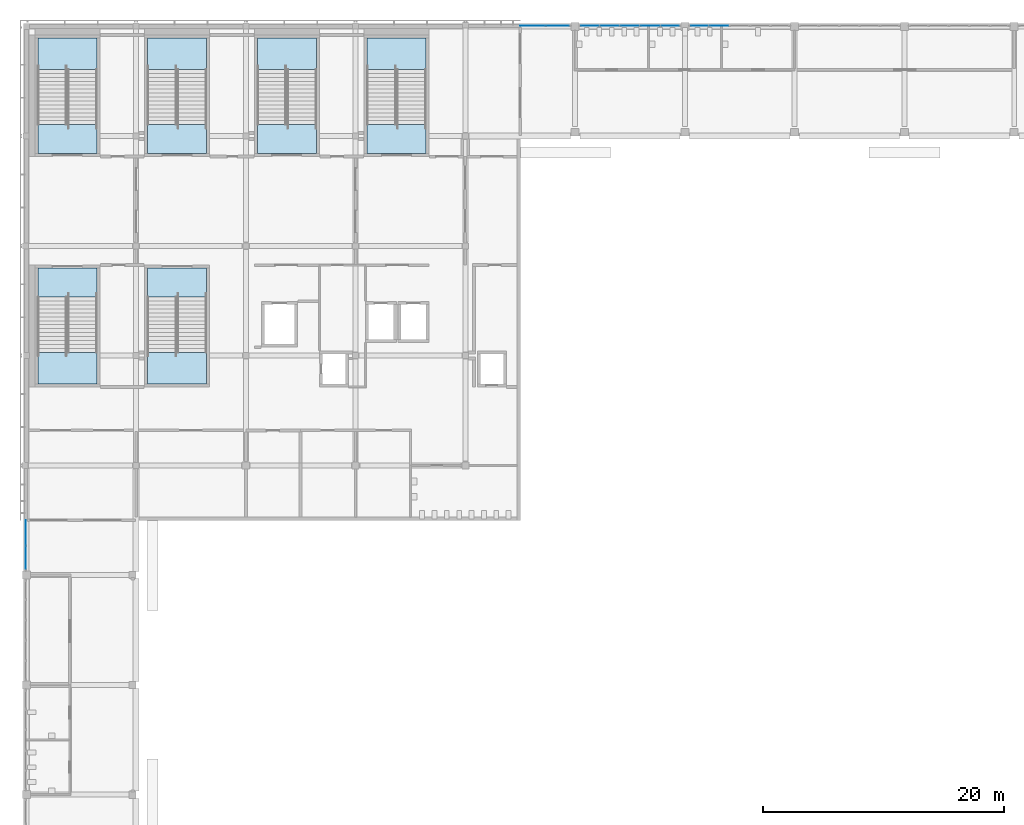
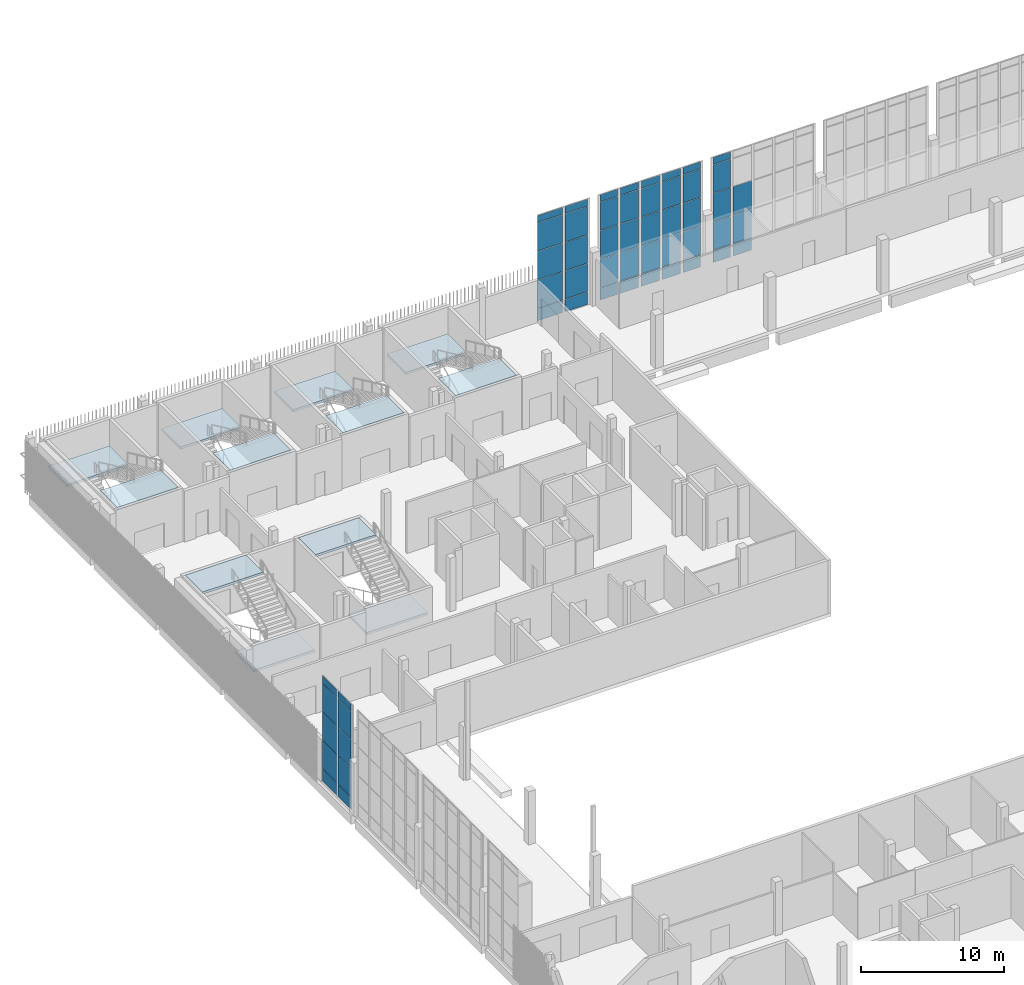
# One storey, part 35 of 91: 53 plates, 12 slabs, 10 elements without a shape of their own.
"""IFC4 building model written with IfcOpenShell, lengths in metres."""

from ifc_helpers import new_model, si_unit, direction, frame, origin, origin_2d, place, context, subcontext, project, spatial, polyline, rectangle, outline, extrude, material, layer, layer_set, type_object, element, aggregate, save


model = new_model("IFC4")

# Units and contexts
model_context = context("Model", 3, precision=1e-05, world=origin(), true_north=direction((0.0, 1.0)))
body_context = subcontext(model_context, "Body", "Model", "MODEL_VIEW")
ifc_project = project(units=[si_unit("LENGTHUNIT", "METRE"), si_unit("AREAUNIT", "SQUARE_METRE"), si_unit("VOLUMEUNIT", "CUBIC_METRE"), si_unit("PLANEANGLEUNIT", "RADIAN"), si_unit("MASSUNIT", "GRAM", prefix="KILO")], contexts=[model_context])

# Site, building, storey
site_placement = place(None, origin())
site = spatial("IfcSite", under=ifc_project, at=site_placement, CompositionType="ELEMENT")
building_placement = place(site_placement, origin())
building = spatial("IfcBuilding", under=site, at=building_placement, Name="Shirokan Park Arena", CompositionType="ELEMENT")
storey_placement = place(building_placement, frame((0.0, 0.0, 24.570068359375)))
storey = spatial("IfcBuildingStorey", under=building, at=storey_placement, Name="L05", CompositionType="ELEMENT", Elevation=24.570068359375)

# Curtain wall, plates
ifc_material_1 = material(Name="Steel and glass curtain wall", Category="steel")
ifc_layer_1 = layer(ifc_material_1, 0.199951171875)
ifc_layer_set_1 = layer_set([ifc_layer_1], Name="Steel and glass curtain wall 200 mm")
curtain_wall_type = type_object("IfcCurtainWallType", Name="Curtain wall hall bay 200", PredefinedType="NOTDEFINED", material=ifc_layer_set_1)
curtain_wall_1_placement = place(storey_placement, origin())
curtain_wall_1 = element("IfcCurtainWall", 1, at=curtain_wall_1_placement, inside=storey, type_object=curtain_wall_type, Name="Curtain wall north bay 10 L05", PredefinedType="NOTDEFINED")
ifc_material_2 = material(Name="Toughened glass", Category="glass")
ifc_layer_2 = layer(ifc_material_2, 0.012939453125, Name="Toughened glass")
ifc_material_3 = material(Name="Interlayer film")
ifc_layer_3 = layer(ifc_material_3, 0.001953125, Name="Interlayer film")
ifc_layer_4 = layer(ifc_material_2, 0.012939453125, Name="Toughened glass")
ifc_layer_set_2 = layer_set([ifc_layer_2, ifc_layer_3, ifc_layer_4], Name="Toughened glass + Interlayer film")
plate_type_1 = type_object("IfcPlateType", Name="Laminated glass panel 28", PredefinedType="CURTAIN_PANEL", material=ifc_layer_set_2)
plate_1_placement = place(storey_placement, frame((57.4599609375, 109.25, 1.1201171875), z_axis=(0.0, 0.0, 1.0), x_axis=(-1.0, 0.0, 0.0)))
plate_1 = element("IfcPlate", 2, at=plate_1_placement, type_object=plate_type_1, Name="CW5 panel 4.2", PredefinedType="CURTAIN_PANEL", context=body_context, shape_type="SweptSolid", body=[
    extrude(rectangle(XDim=1.489990234375, YDim=0.028076171875, at=origin_2d()), origin(), (0.0, 0.0, 1.0), 2.393310546875),
])
plate_2_placement = place(storey_placement, frame((57.4599609375, 109.25, 3.55322265625), z_axis=(0.0, 0.0, 1.0), x_axis=(-1.0, 0.0, 0.0)))
plate_2 = element("IfcPlate", 3, at=plate_2_placement, type_object=plate_type_1, Name="CW5 panel 4.3", PredefinedType="CURTAIN_PANEL", context=body_context, shape_type="SweptSolid", body=[
    extrude(rectangle(XDim=1.489990234375, YDim=0.028076171875, at=origin_2d()), origin(), (0.0, 0.0, 1.0), 2.393310546875),
])
plate_3_placement = place(storey_placement, frame((55.820068359375, 109.25, 1.1201171875), z_axis=(0.0, 0.0, 1.0), x_axis=(-1.0, 0.0, 0.0)))
plate_3 = element("IfcPlate", 4, at=plate_3_placement, type_object=plate_type_1, Name="CW5 panel 5.2", PredefinedType="CURTAIN_PANEL", context=body_context, shape_type="SweptSolid", body=[
    extrude(rectangle(XDim=1.389892578125, YDim=0.028076171875, at=origin_2d()), origin(), (0.0, 0.0, 1.0), 2.393310546875),
])
plate_4_placement = place(storey_placement, frame((55.820068359375, 109.25, 3.55322265625), z_axis=(0.0, 0.0, 1.0), x_axis=(-1.0, 0.0, 0.0)))
plate_4 = element("IfcPlate", 5, at=plate_4_placement, type_object=plate_type_1, Name="CW5 panel 5.3", PredefinedType="CURTAIN_PANEL", context=body_context, shape_type="SweptSolid", body=[
    extrude(rectangle(XDim=1.389892578125, YDim=0.028076171875, at=origin_2d()), origin(), (0.0, 0.0, 1.0), 2.393310546875),
])
plate_5_placement = place(storey_placement, frame((55.820068359375, 109.25, 5.98681640625), z_axis=(0.0, 0.0, 1.0), x_axis=(-1.0, 0.0, 0.0)))
plate_5 = element("IfcPlate", 6, at=plate_5_placement, type_object=plate_type_1, Name="CW5 panel 5.4", PredefinedType="CURTAIN_PANEL", context=body_context, shape_type="SweptSolid", body=[
    extrude(rectangle(XDim=1.389892578125, YDim=0.028076171875, at=origin_2d()), origin(), (0.0, 0.0, 1.0), 2.393310546875),
])
plate_6_placement = place(storey_placement, frame((55.820068359375, 109.25, 8.419921875), z_axis=(0.0, 0.0, 1.0), x_axis=(-1.0, 0.0, 0.0)))
plate_6 = element("IfcPlate", 7, at=plate_6_placement, type_object=plate_type_1, Name="CW5 panel 5.5", PredefinedType="CURTAIN_PANEL", context=body_context, shape_type="SweptSolid", body=[
    extrude(rectangle(XDim=1.389892578125, YDim=0.028076171875, at=origin_2d()), origin(), (0.0, 0.0, 1.0), 0.590087890625),
])

curtain_wall_2_placement = place(storey_placement, origin())
curtain_wall_2 = element("IfcCurtainWall", 8, at=curtain_wall_2_placement, inside=storey, type_object=curtain_wall_type, Name="Curtain wall north bay 11 L05", PredefinedType="NOTDEFINED")
plate_7_placement = place(storey_placement, frame((53.3798828125, 109.25, 1.1201171875), z_axis=(0.0, 0.0, 1.0), x_axis=(-1.0, 0.0, 0.0)))
plate_7 = element("IfcPlate", 9, at=plate_7_placement, type_object=plate_type_1, Name="CW5 panel 1.2", PredefinedType="CURTAIN_PANEL", context=body_context, shape_type="SweptSolid", body=[
    extrude(rectangle(XDim=1.389892578125, YDim=0.028076171875, at=origin_2d()), origin(), (0.0, 0.0, 1.0), 2.393310546875),
])
plate_8_placement = place(storey_placement, frame((53.3798828125, 109.25, 3.55322265625), z_axis=(0.0, 0.0, 1.0), x_axis=(-1.0, 0.0, 0.0)))
plate_8 = element("IfcPlate", 10, at=plate_8_placement, type_object=plate_type_1, Name="CW5 panel 1.3", PredefinedType="CURTAIN_PANEL", context=body_context, shape_type="SweptSolid", body=[
    extrude(rectangle(XDim=1.389892578125, YDim=0.028076171875, at=origin_2d()), origin(), (0.0, 0.0, 1.0), 2.393310546875),
])
plate_9_placement = place(storey_placement, frame((53.3798828125, 109.25, 5.98681640625), z_axis=(0.0, 0.0, 1.0), x_axis=(-1.0, 0.0, 0.0)))
plate_9 = element("IfcPlate", 11, at=plate_9_placement, type_object=plate_type_1, Name="CW5 panel 1.4", PredefinedType="CURTAIN_PANEL", context=body_context, shape_type="SweptSolid", body=[
    extrude(rectangle(XDim=1.389892578125, YDim=0.028076171875, at=origin_2d()), origin(), (0.0, 0.0, 1.0), 2.393310546875),
])
plate_10_placement = place(storey_placement, frame((53.3798828125, 109.25, 8.419921875), z_axis=(0.0, 0.0, 1.0), x_axis=(-1.0, 0.0, 0.0)))
plate_10 = element("IfcPlate", 12, at=plate_10_placement, type_object=plate_type_1, Name="CW5 panel 1.5", PredefinedType="CURTAIN_PANEL", context=body_context, shape_type="SweptSolid", body=[
    extrude(rectangle(XDim=1.389892578125, YDim=0.028076171875, at=origin_2d()), origin(), (0.0, 0.0, 1.0), 0.590087890625),
])
plate_11_placement = place(storey_placement, frame((51.739990234375, 109.25, 1.1201171875), z_axis=(0.0, 0.0, 1.0), x_axis=(-1.0, 0.0, 0.0)))
plate_11 = element("IfcPlate", 13, at=plate_11_placement, type_object=plate_type_1, Name="CW5 panel 2.2", PredefinedType="CURTAIN_PANEL", context=body_context, shape_type="SweptSolid", body=[
    extrude(rectangle(XDim=1.489990234375, YDim=0.028076171875, at=origin_2d()), origin(), (0.0, 0.0, 1.0), 2.393310546875),
])
plate_12_placement = place(storey_placement, frame((51.739990234375, 109.25, 3.55322265625), z_axis=(0.0, 0.0, 1.0), x_axis=(-1.0, 0.0, 0.0)))
plate_12 = element("IfcPlate", 14, at=plate_12_placement, type_object=plate_type_1, Name="CW5 panel 2.3", PredefinedType="CURTAIN_PANEL", context=body_context, shape_type="SweptSolid", body=[
    extrude(rectangle(XDim=1.489990234375, YDim=0.028076171875, at=origin_2d()), origin(), (0.0, 0.0, 1.0), 2.393310546875),
])
plate_13_placement = place(storey_placement, frame((51.739990234375, 109.25, 5.98681640625), z_axis=(0.0, 0.0, 1.0), x_axis=(-1.0, 0.0, 0.0)))
plate_13 = element("IfcPlate", 15, at=plate_13_placement, type_object=plate_type_1, Name="CW5 panel 2.4", PredefinedType="CURTAIN_PANEL", context=body_context, shape_type="SweptSolid", body=[
    extrude(rectangle(XDim=1.489990234375, YDim=0.028076171875, at=origin_2d()), origin(), (0.0, 0.0, 1.0), 2.393310546875),
])
plate_14_placement = place(storey_placement, frame((51.739990234375, 109.25, 8.419921875), z_axis=(0.0, 0.0, 1.0), x_axis=(-1.0, 0.0, 0.0)))
plate_14 = element("IfcPlate", 16, at=plate_14_placement, type_object=plate_type_1, Name="CW5 panel 2.5", PredefinedType="CURTAIN_PANEL", context=body_context, shape_type="SweptSolid", body=[
    extrude(rectangle(XDim=1.489990234375, YDim=0.028076171875, at=origin_2d()), origin(), (0.0, 0.0, 1.0), 0.590087890625),
])
plate_15_placement = place(storey_placement, frame((50.050048828125, 109.25, 1.1201171875), z_axis=(0.0, 0.0, 1.0), x_axis=(-1.0, 0.0, 0.0)))
plate_15 = element("IfcPlate", 17, at=plate_15_placement, type_object=plate_type_1, Name="CW5 panel 3.2", PredefinedType="CURTAIN_PANEL", context=body_context, shape_type="SweptSolid", body=[
    extrude(rectangle(XDim=1.489990234375, YDim=0.028076171875, at=origin_2d()), origin(), (0.0, 0.0, 1.0), 2.393310546875),
])
plate_16_placement = place(storey_placement, frame((50.050048828125, 109.25, 3.55322265625), z_axis=(0.0, 0.0, 1.0), x_axis=(-1.0, 0.0, 0.0)))
plate_16 = element("IfcPlate", 18, at=plate_16_placement, type_object=plate_type_1, Name="CW5 panel 3.3", PredefinedType="CURTAIN_PANEL", context=body_context, shape_type="SweptSolid", body=[
    extrude(rectangle(XDim=1.489990234375, YDim=0.028076171875, at=origin_2d()), origin(), (0.0, 0.0, 1.0), 2.393310546875),
])
plate_17_placement = place(storey_placement, frame((50.050048828125, 109.25, 5.98681640625), z_axis=(0.0, 0.0, 1.0), x_axis=(-1.0, 0.0, 0.0)))
plate_17 = element("IfcPlate", 19, at=plate_17_placement, type_object=plate_type_1, Name="CW5 panel 3.4", PredefinedType="CURTAIN_PANEL", context=body_context, shape_type="SweptSolid", body=[
    extrude(rectangle(XDim=1.489990234375, YDim=0.028076171875, at=origin_2d()), origin(), (0.0, 0.0, 1.0), 2.393310546875),
])
plate_18_placement = place(storey_placement, frame((50.050048828125, 109.25, 8.419921875), z_axis=(0.0, 0.0, 1.0), x_axis=(-1.0, 0.0, 0.0)))
plate_18 = element("IfcPlate", 20, at=plate_18_placement, type_object=plate_type_1, Name="CW5 panel 3.5", PredefinedType="CURTAIN_PANEL", context=body_context, shape_type="SweptSolid", body=[
    extrude(rectangle(XDim=1.489990234375, YDim=0.028076171875, at=origin_2d()), origin(), (0.0, 0.0, 1.0), 0.590087890625),
])
plate_19_placement = place(storey_placement, frame((48.360107421875, 109.25, 1.1201171875), z_axis=(0.0, 0.0, 1.0), x_axis=(-1.0, 0.0, 0.0)))
plate_19 = element("IfcPlate", 21, at=plate_19_placement, type_object=plate_type_1, Name="CW5 panel 4.2", PredefinedType="CURTAIN_PANEL", context=body_context, shape_type="SweptSolid", body=[
    extrude(rectangle(XDim=1.489990234375, YDim=0.028076171875, at=origin_2d()), origin(), (0.0, 0.0, 1.0), 2.393310546875),
])
plate_20_placement = place(storey_placement, frame((48.360107421875, 109.25, 3.55322265625), z_axis=(0.0, 0.0, 1.0), x_axis=(-1.0, 0.0, 0.0)))
plate_20 = element("IfcPlate", 22, at=plate_20_placement, type_object=plate_type_1, Name="CW5 panel 4.3", PredefinedType="CURTAIN_PANEL", context=body_context, shape_type="SweptSolid", body=[
    extrude(rectangle(XDim=1.489990234375, YDim=0.028076171875, at=origin_2d()), origin(), (0.0, 0.0, 1.0), 2.393310546875),
])
plate_21_placement = place(storey_placement, frame((48.360107421875, 109.25, 5.98681640625), z_axis=(0.0, 0.0, 1.0), x_axis=(-1.0, 0.0, 0.0)))
plate_21 = element("IfcPlate", 23, at=plate_21_placement, type_object=plate_type_1, Name="CW5 panel 4.4", PredefinedType="CURTAIN_PANEL", context=body_context, shape_type="SweptSolid", body=[
    extrude(rectangle(XDim=1.489990234375, YDim=0.028076171875, at=origin_2d()), origin(), (0.0, 0.0, 1.0), 2.393310546875),
])
plate_22_placement = place(storey_placement, frame((48.360107421875, 109.25, 8.419921875), z_axis=(0.0, 0.0, 1.0), x_axis=(-1.0, 0.0, 0.0)))
plate_22 = element("IfcPlate", 24, at=plate_22_placement, type_object=plate_type_1, Name="CW5 panel 4.5", PredefinedType="CURTAIN_PANEL", context=body_context, shape_type="SweptSolid", body=[
    extrude(rectangle(XDim=1.489990234375, YDim=0.028076171875, at=origin_2d()), origin(), (0.0, 0.0, 1.0), 0.590087890625),
])
plate_23_placement = place(storey_placement, frame((46.719970703125, 109.25, 1.1201171875), z_axis=(0.0, 0.0, 1.0), x_axis=(-1.0, 0.0, 0.0)))
plate_23 = element("IfcPlate", 25, at=plate_23_placement, type_object=plate_type_1, Name="CW5 panel 5.2", PredefinedType="CURTAIN_PANEL", context=body_context, shape_type="SweptSolid", body=[
    extrude(rectangle(XDim=1.389892578125, YDim=0.028076171875, at=origin_2d()), origin(), (0.0, 0.0, 1.0), 2.393310546875),
])
plate_24_placement = place(storey_placement, frame((46.719970703125, 109.25, 3.55322265625), z_axis=(0.0, 0.0, 1.0), x_axis=(-1.0, 0.0, 0.0)))
plate_24 = element("IfcPlate", 26, at=plate_24_placement, type_object=plate_type_1, Name="CW5 panel 5.3", PredefinedType="CURTAIN_PANEL", context=body_context, shape_type="SweptSolid", body=[
    extrude(rectangle(XDim=1.389892578125, YDim=0.028076171875, at=origin_2d()), origin(), (0.0, 0.0, 1.0), 2.393310546875),
])
plate_25_placement = place(storey_placement, frame((46.719970703125, 109.25, 5.98681640625), z_axis=(0.0, 0.0, 1.0), x_axis=(-1.0, 0.0, 0.0)))
plate_25 = element("IfcPlate", 27, at=plate_25_placement, type_object=plate_type_1, Name="CW5 panel 5.4", PredefinedType="CURTAIN_PANEL", context=body_context, shape_type="SweptSolid", body=[
    extrude(rectangle(XDim=1.389892578125, YDim=0.028076171875, at=origin_2d()), origin(), (0.0, 0.0, 1.0), 2.393310546875),
])
plate_26_placement = place(storey_placement, frame((46.719970703125, 109.25, 8.419921875), z_axis=(0.0, 0.0, 1.0), x_axis=(-1.0, 0.0, 0.0)))
plate_26 = element("IfcPlate", 28, at=plate_26_placement, type_object=plate_type_1, Name="CW5 panel 5.5", PredefinedType="CURTAIN_PANEL", context=body_context, shape_type="SweptSolid", body=[
    extrude(rectangle(XDim=1.389892578125, YDim=0.028076171875, at=origin_2d()), origin(), (0.0, 0.0, 1.0), 0.590087890625),
])

curtain_wall_3_placement = place(storey_placement, origin())
curtain_wall_3 = element("IfcCurtainWall", 29, at=curtain_wall_3_placement, inside=storey, type_object=curtain_wall_type, Name="Curtain wall north bay 12 L05", PredefinedType="NOTDEFINED")
plate_27_placement = place(storey_placement, frame((44.06884765625, 109.25, 1.1201171875), z_axis=(0.0, 0.0, 1.0), x_axis=(-1.0, 0.0, 0.0)))
plate_27 = element("IfcPlate", 30, at=plate_27_placement, type_object=plate_type_1, Name="CW5 panel 1.2", PredefinedType="CURTAIN_PANEL", context=body_context, shape_type="SweptSolid", body=[
    extrude(rectangle(XDim=1.8125, YDim=0.028076171875, at=origin_2d()), origin(), (0.0, 0.0, 1.0), 2.393310546875),
])
plate_28_placement = place(storey_placement, frame((44.06884765625, 109.25, 3.55322265625), z_axis=(0.0, 0.0, 1.0), x_axis=(-1.0, 0.0, 0.0)))
plate_28 = element("IfcPlate", 31, at=plate_28_placement, type_object=plate_type_1, Name="CW5 panel 1.3", PredefinedType="CURTAIN_PANEL", context=body_context, shape_type="SweptSolid", body=[
    extrude(rectangle(XDim=1.8125, YDim=0.028076171875, at=origin_2d()), origin(), (0.0, 0.0, 1.0), 2.393310546875),
])
plate_29_placement = place(storey_placement, frame((44.06884765625, 109.25, 5.98681640625), z_axis=(0.0, 0.0, 1.0), x_axis=(-1.0, 0.0, 0.0)))
plate_29 = element("IfcPlate", 32, at=plate_29_placement, type_object=plate_type_1, Name="CW5 panel 1.4", PredefinedType="CURTAIN_PANEL", context=body_context, shape_type="SweptSolid", body=[
    extrude(rectangle(XDim=1.8125, YDim=0.028076171875, at=origin_2d()), origin(), (0.0, 0.0, 1.0), 2.393310546875),
])
plate_30_placement = place(storey_placement, frame((44.06884765625, 109.25, 8.419921875), z_axis=(0.0, 0.0, 1.0), x_axis=(-1.0, 0.0, 0.0)))
plate_30 = element("IfcPlate", 33, at=plate_30_placement, type_object=plate_type_1, Name="CW5 panel 1.5", PredefinedType="CURTAIN_PANEL", context=body_context, shape_type="SweptSolid", body=[
    extrude(rectangle(XDim=1.8125, YDim=0.028076171875, at=origin_2d()), origin(), (0.0, 0.0, 1.0), 0.590087890625),
])
plate_31_placement = place(storey_placement, frame((41.956298828125, 109.25, 1.1201171875), z_axis=(0.0, 0.0, 1.0), x_axis=(-1.0, 0.0, 0.0)))
plate_31 = element("IfcPlate", 34, at=plate_31_placement, type_object=plate_type_1, Name="CW5 panel 2.2", PredefinedType="CURTAIN_PANEL", context=body_context, shape_type="SweptSolid", body=[
    extrude(rectangle(XDim=2.012451171875, YDim=0.028076171875, at=origin_2d()), origin(), (0.0, 0.0, 1.0), 2.393310546875),
])
plate_32_placement = place(storey_placement, frame((41.956298828125, 109.25, 3.55322265625), z_axis=(0.0, 0.0, 1.0), x_axis=(-1.0, 0.0, 0.0)))
plate_32 = element("IfcPlate", 35, at=plate_32_placement, type_object=plate_type_1, Name="CW5 panel 2.3", PredefinedType="CURTAIN_PANEL", context=body_context, shape_type="SweptSolid", body=[
    extrude(rectangle(XDim=2.012451171875, YDim=0.028076171875, at=origin_2d()), origin(), (0.0, 0.0, 1.0), 2.393310546875),
])
plate_33_placement = place(storey_placement, frame((41.956298828125, 109.25, 5.98681640625), z_axis=(0.0, 0.0, 1.0), x_axis=(-1.0, 0.0, 0.0)))
plate_33 = element("IfcPlate", 36, at=plate_33_placement, type_object=plate_type_1, Name="CW5 panel 2.4", PredefinedType="CURTAIN_PANEL", context=body_context, shape_type="SweptSolid", body=[
    extrude(rectangle(XDim=2.012451171875, YDim=0.028076171875, at=origin_2d()), origin(), (0.0, 0.0, 1.0), 2.393310546875),
])
plate_34_placement = place(storey_placement, frame((41.956298828125, 109.25, 8.419921875), z_axis=(0.0, 0.0, 1.0), x_axis=(-1.0, 0.0, 0.0)))
plate_34 = element("IfcPlate", 37, at=plate_34_placement, type_object=plate_type_1, Name="CW5 panel 2.5", PredefinedType="CURTAIN_PANEL", context=body_context, shape_type="SweptSolid", body=[
    extrude(rectangle(XDim=2.012451171875, YDim=0.028076171875, at=origin_2d()), origin(), (0.0, 0.0, 1.0), 0.590087890625),
])

curtain_wall_4_placement = place(storey_placement, origin())
curtain_wall_4 = element("IfcCurtainWall", 38, at=curtain_wall_4_placement, inside=storey, type_object=curtain_wall_type, Name="Curtain wall west bay 5 L05", PredefinedType="NOTDEFINED")
plate_35_placement = place(storey_placement, frame((-0.050048828125, 67.24365234375, 1.1201171875), z_axis=(0.0, 0.0, 1.0), x_axis=(0.0, -1.0, 0.0)))
plate_35 = element("IfcPlate", 39, at=plate_35_placement, type_object=plate_type_1, Name="CW5 panel 1.2", PredefinedType="CURTAIN_PANEL", context=body_context, shape_type="SweptSolid", body=[
    extrude(rectangle(XDim=2.012451171875, YDim=0.028076171875, at=origin_2d()), origin(), (0.0, 0.0, 1.0), 2.393310546875),
])
plate_36_placement = place(storey_placement, frame((-0.050048828125, 67.24365234375, 3.55322265625), z_axis=(0.0, 0.0, 1.0), x_axis=(0.0, -1.0, 0.0)))
plate_36 = element("IfcPlate", 40, at=plate_36_placement, type_object=plate_type_1, Name="CW5 panel 1.3", PredefinedType="CURTAIN_PANEL", context=body_context, shape_type="SweptSolid", body=[
    extrude(rectangle(XDim=2.012451171875, YDim=0.028076171875, at=origin_2d()), origin(), (0.0, 0.0, 1.0), 2.393310546875),
])
plate_37_placement = place(storey_placement, frame((-0.050048828125, 67.24365234375, 5.98681640625), z_axis=(0.0, 0.0, 1.0), x_axis=(0.0, -1.0, 0.0)))
plate_37 = element("IfcPlate", 41, at=plate_37_placement, type_object=plate_type_1, Name="CW5 panel 1.4", PredefinedType="CURTAIN_PANEL", context=body_context, shape_type="SweptSolid", body=[
    extrude(rectangle(XDim=2.012451171875, YDim=0.028076171875, at=origin_2d()), origin(), (0.0, 0.0, 1.0), 2.393310546875),
])
plate_38_placement = place(storey_placement, frame((-0.050048828125, 67.24365234375, 8.419921875), z_axis=(0.0, 0.0, 1.0), x_axis=(0.0, -1.0, 0.0)))
plate_38 = element("IfcPlate", 42, at=plate_38_placement, type_object=plate_type_1, Name="CW5 panel 1.5", PredefinedType="CURTAIN_PANEL", context=body_context, shape_type="SweptSolid", body=[
    extrude(rectangle(XDim=2.012451171875, YDim=0.028076171875, at=origin_2d()), origin(), (0.0, 0.0, 1.0), 0.590087890625),
])
plate_39_placement = place(storey_placement, frame((-0.050048828125, 65.13134765625, 1.1201171875), z_axis=(0.0, 0.0, 1.0), x_axis=(0.0, -1.0, 0.0)))
plate_39 = element("IfcPlate", 43, at=plate_39_placement, type_object=plate_type_1, Name="CW5 panel 2.2", PredefinedType="CURTAIN_PANEL", context=body_context, shape_type="SweptSolid", body=[
    extrude(rectangle(XDim=1.8125, YDim=0.028076171875, at=origin_2d()), origin(), (0.0, 0.0, 1.0), 2.393310546875),
])
plate_40_placement = place(storey_placement, frame((-0.050048828125, 65.13134765625, 3.55322265625), z_axis=(0.0, 0.0, 1.0), x_axis=(0.0, -1.0, 0.0)))
plate_40 = element("IfcPlate", 44, at=plate_40_placement, type_object=plate_type_1, Name="CW5 panel 2.3", PredefinedType="CURTAIN_PANEL", context=body_context, shape_type="SweptSolid", body=[
    extrude(rectangle(XDim=1.8125, YDim=0.028076171875, at=origin_2d()), origin(), (0.0, 0.0, 1.0), 2.393310546875),
])
plate_41_placement = place(storey_placement, frame((-0.050048828125, 65.13134765625, 5.98681640625), z_axis=(0.0, 0.0, 1.0), x_axis=(0.0, -1.0, 0.0)))
plate_41 = element("IfcPlate", 45, at=plate_41_placement, type_object=plate_type_1, Name="CW5 panel 2.4", PredefinedType="CURTAIN_PANEL", context=body_context, shape_type="SweptSolid", body=[
    extrude(rectangle(XDim=1.8125, YDim=0.028076171875, at=origin_2d()), origin(), (0.0, 0.0, 1.0), 2.393310546875),
])
plate_42_placement = place(storey_placement, frame((-0.050048828125, 65.13134765625, 8.419921875), z_axis=(0.0, 0.0, 1.0), x_axis=(0.0, -1.0, 0.0)))
plate_42 = element("IfcPlate", 46, at=plate_42_placement, type_object=plate_type_1, Name="CW5 panel 2.5", PredefinedType="CURTAIN_PANEL", context=body_context, shape_type="SweptSolid", body=[
    extrude(rectangle(XDim=1.8125, YDim=0.028076171875, at=origin_2d()), origin(), (0.0, 0.0, 1.0), 0.590087890625),
])

# Plate
ifc_layer_5 = layer(ifc_material_2, 0.01708984375, Name="Toughened glass")
ifc_layer_6 = layer(ifc_material_3, 0.001953125, Name="Interlayer film")
ifc_layer_7 = layer(ifc_material_2, 0.01708984375, Name="Toughened glass")
ifc_layer_set_3 = layer_set([ifc_layer_5, ifc_layer_6, ifc_layer_7], Name="Toughened glass + Interlayer film")
plate_type_2 = type_object("IfcPlateType", Name="Laminated safety glass panel 36", PredefinedType="CURTAIN_PANEL", material=ifc_layer_set_3)
plate_43_placement = place(storey_placement, frame((57.4599609375, 109.25, 0.039794921875), z_axis=(0.0, 0.0, 1.0), x_axis=(-1.0, 0.0, 0.0)))
plate_43 = element("IfcPlate", 47, at=plate_43_placement, type_object=plate_type_2, Name="CW5 panel 4.1", PredefinedType="CURTAIN_PANEL", context=body_context, shape_type="SweptSolid", body=[
    extrude(rectangle(XDim=1.489990234375, YDim=0.035888671875, at=origin_2d()), origin(), (0.0, 0.0, 1.0), 1.0400390625),
])

plate_44_placement = place(storey_placement, frame((55.820068359375, 109.25, 0.039794921875), z_axis=(0.0, 0.0, 1.0), x_axis=(-1.0, 0.0, 0.0)))
plate_44 = element("IfcPlate", 48, at=plate_44_placement, type_object=plate_type_2, Name="CW5 panel 5.1", PredefinedType="CURTAIN_PANEL", context=body_context, shape_type="SweptSolid", body=[
    extrude(rectangle(XDim=1.389892578125, YDim=0.035888671875, at=origin_2d()), origin(), (0.0, 0.0, 1.0), 1.0400390625),
])

aggregate(curtain_wall_1, [plate_43, plate_1, plate_2, plate_44, plate_3, plate_4, plate_5, plate_6])

plate_45_placement = place(storey_placement, frame((53.3798828125, 109.25, 0.039794921875), z_axis=(0.0, 0.0, 1.0), x_axis=(-1.0, 0.0, 0.0)))
plate_45 = element("IfcPlate", 49, at=plate_45_placement, type_object=plate_type_2, Name="CW5 panel 1.1", PredefinedType="CURTAIN_PANEL", context=body_context, shape_type="SweptSolid", body=[
    extrude(rectangle(XDim=1.389892578125, YDim=0.035888671875, at=origin_2d()), origin(), (0.0, 0.0, 1.0), 1.0400390625),
])

plate_46_placement = place(storey_placement, frame((51.739990234375, 109.25, 0.039794921875), z_axis=(0.0, 0.0, 1.0), x_axis=(-1.0, 0.0, 0.0)))
plate_46 = element("IfcPlate", 50, at=plate_46_placement, type_object=plate_type_2, Name="CW5 panel 2.1", PredefinedType="CURTAIN_PANEL", context=body_context, shape_type="SweptSolid", body=[
    extrude(rectangle(XDim=1.489990234375, YDim=0.035888671875, at=origin_2d()), origin(), (0.0, 0.0, 1.0), 1.0400390625),
])

plate_47_placement = place(storey_placement, frame((50.050048828125, 109.25, 0.039794921875), z_axis=(0.0, 0.0, 1.0), x_axis=(-1.0, 0.0, 0.0)))
plate_47 = element("IfcPlate", 51, at=plate_47_placement, type_object=plate_type_2, Name="CW5 panel 3.1", PredefinedType="CURTAIN_PANEL", context=body_context, shape_type="SweptSolid", body=[
    extrude(rectangle(XDim=1.489990234375, YDim=0.035888671875, at=origin_2d()), origin(), (0.0, 0.0, 1.0), 1.0400390625),
])

plate_48_placement = place(storey_placement, frame((48.360107421875, 109.25, 0.039794921875), z_axis=(0.0, 0.0, 1.0), x_axis=(-1.0, 0.0, 0.0)))
plate_48 = element("IfcPlate", 52, at=plate_48_placement, type_object=plate_type_2, Name="CW5 panel 4.1", PredefinedType="CURTAIN_PANEL", context=body_context, shape_type="SweptSolid", body=[
    extrude(rectangle(XDim=1.489990234375, YDim=0.035888671875, at=origin_2d()), origin(), (0.0, 0.0, 1.0), 1.0400390625),
])

plate_49_placement = place(storey_placement, frame((46.719970703125, 109.25, 0.039794921875), z_axis=(0.0, 0.0, 1.0), x_axis=(-1.0, 0.0, 0.0)))
plate_49 = element("IfcPlate", 53, at=plate_49_placement, type_object=plate_type_2, Name="CW5 panel 5.1", PredefinedType="CURTAIN_PANEL", context=body_context, shape_type="SweptSolid", body=[
    extrude(rectangle(XDim=1.389892578125, YDim=0.035888671875, at=origin_2d()), origin(), (0.0, 0.0, 1.0), 1.0400390625),
])

aggregate(curtain_wall_2, [plate_45, plate_7, plate_8, plate_9, plate_10, plate_46, plate_11, plate_12, plate_13, plate_14, plate_47, plate_15, plate_16, plate_17, plate_18, plate_48, plate_19, plate_20, plate_21, plate_22, plate_49, plate_23, plate_24, plate_25, plate_26])

plate_50_placement = place(storey_placement, frame((44.06884765625, 109.25, 0.039794921875), z_axis=(0.0, 0.0, 1.0), x_axis=(-1.0, 0.0, 0.0)))
plate_50 = element("IfcPlate", 54, at=plate_50_placement, type_object=plate_type_2, Name="CW5 panel 1.1", PredefinedType="CURTAIN_PANEL", context=body_context, shape_type="SweptSolid", body=[
    extrude(rectangle(XDim=1.8125, YDim=0.035888671875, at=origin_2d()), origin(), (0.0, 0.0, 1.0), 1.0400390625),
])

plate_51_placement = place(storey_placement, frame((41.956298828125, 109.25, 0.039794921875), z_axis=(0.0, 0.0, 1.0), x_axis=(-1.0, 0.0, 0.0)))
plate_51 = element("IfcPlate", 55, at=plate_51_placement, type_object=plate_type_2, Name="CW5 panel 2.1", PredefinedType="CURTAIN_PANEL", context=body_context, shape_type="SweptSolid", body=[
    extrude(rectangle(XDim=2.012451171875, YDim=0.035888671875, at=origin_2d()), origin(), (0.0, 0.0, 1.0), 1.0400390625),
])

aggregate(curtain_wall_3, [plate_50, plate_27, plate_28, plate_29, plate_30, plate_51, plate_31, plate_32, plate_33, plate_34])

plate_52_placement = place(storey_placement, frame((-0.050048828125, 67.24365234375, 0.039794921875), z_axis=(0.0, 0.0, 1.0), x_axis=(0.0, -1.0, 0.0)))
plate_52 = element("IfcPlate", 56, at=plate_52_placement, type_object=plate_type_2, Name="CW5 panel 1.1", PredefinedType="CURTAIN_PANEL", context=body_context, shape_type="SweptSolid", body=[
    extrude(rectangle(XDim=2.012451171875, YDim=0.035888671875, at=origin_2d()), origin(), (0.0, 0.0, 1.0), 1.0400390625),
])

plate_53_placement = place(storey_placement, frame((-0.050048828125, 65.13134765625, 0.039794921875), z_axis=(0.0, 0.0, 1.0), x_axis=(0.0, -1.0, 0.0)))
plate_53 = element("IfcPlate", 57, at=plate_53_placement, type_object=plate_type_2, Name="CW5 panel 2.1", PredefinedType="CURTAIN_PANEL", context=body_context, shape_type="SweptSolid", body=[
    extrude(rectangle(XDim=1.8125, YDim=0.035888671875, at=origin_2d()), origin(), (0.0, 0.0, 1.0), 1.0400390625),
])

aggregate(curtain_wall_4, [plate_52, plate_35, plate_36, plate_37, plate_38, plate_53, plate_39, plate_40, plate_41, plate_42])

# Stair, slabs
ifc_material_4 = material(Name="Concrete C30 precast", Category="concrete")
stair_type = type_object("IfcStairType", Name="Stair 30 risers 152 x 327 2400 wide", PredefinedType="TWO_STRAIGHT_RUN_STAIR", material=ifc_material_4)
stair_1_placement = place(storey_placement, origin())
stair_1 = element("IfcStair", 58, at=stair_1_placement, inside=storey, type_object=stair_type, Name="Exit Stair 4.A L05 to L06", PredefinedType="TWO_STRAIGHT_RUN_STAIR")
ifc_layer_8 = layer(ifc_material_4, 0.199951171875)
ifc_layer_set_4 = layer_set([ifc_layer_8], Name="Concrete C30 precast 200 mm")
slab_type = type_object("IfcSlabType", Name="Stair landing 200", PredefinedType="LANDING", material=ifc_layer_set_4)
slab_1_placement = place(storey_placement, frame((0.0, 0.0, 2.074951171875)))
slab_1 = element("IfcSlab", 59, at=slab_1_placement, type_object=slab_type, Name="ST10.6 landing 1", PredefinedType="LANDING", context=body_context, shape_type="SweptSolid", body=[
    extrude(outline(polyline([(0.949951171875, 105.623779296875), (5.85009765625, 105.623779296875), (5.85009765625, 108.25), (0.949951171875, 108.25), (0.949951171875, 105.623779296875)])), origin(), (0.0, 0.0, 1.0), 0.199951171875),
])
slab_2_placement = place(storey_placement, frame((0.0, 0.0, 4.349853515625)))
slab_2 = element("IfcSlab", 60, at=slab_2_placement, type_object=slab_type, Name="ST10.6 landing 2", PredefinedType="LANDING", context=body_context, shape_type="SweptSolid", body=[
    extrude(outline(polyline([(0.949951171875, 98.64990234375), (5.85009765625, 98.64990234375), (5.85009765625, 101.050048828125), (0.949951171875, 101.050048828125), (0.949951171875, 98.64990234375)])), origin(), (0.0, 0.0, 1.0), 0.2001953125),
])
aggregate(stair_1, [slab_1, slab_2])

stair_2_placement = place(storey_placement, origin())
stair_2 = element("IfcStair", 61, at=stair_2_placement, inside=storey, type_object=stair_type, Name="Exit Stair 4.B L05 to L06", PredefinedType="TWO_STRAIGHT_RUN_STAIR")
slab_3_placement = place(storey_placement, frame((0.0, 0.0, 2.074951171875)))
slab_3 = element("IfcSlab", 62, at=slab_3_placement, type_object=slab_type, Name="ST11.6 landing 1", PredefinedType="LANDING", context=body_context, shape_type="SweptSolid", body=[
    extrude(outline(polyline([(10.050048828125, 105.623779296875), (14.949951171875, 105.623779296875), (14.949951171875, 108.25), (10.050048828125, 108.25), (10.050048828125, 105.623779296875)])), origin(), (0.0, 0.0, 1.0), 0.199951171875),
])
slab_4_placement = place(storey_placement, frame((0.0, 0.0, 4.349853515625)))
slab_4 = element("IfcSlab", 63, at=slab_4_placement, type_object=slab_type, Name="ST11.6 landing 2", PredefinedType="LANDING", context=body_context, shape_type="SweptSolid", body=[
    extrude(outline(polyline([(10.050048828125, 98.64990234375), (14.949951171875, 98.64990234375), (14.949951171875, 101.050048828125), (10.050048828125, 101.050048828125), (10.050048828125, 98.64990234375)])), origin(), (0.0, 0.0, 1.0), 0.2001953125),
])
aggregate(stair_2, [slab_3, slab_4])

stair_3_placement = place(storey_placement, origin())
stair_3 = element("IfcStair", 64, at=stair_3_placement, inside=storey, type_object=stair_type, Name="Exit Stair 4.C L05 to L06", PredefinedType="TWO_STRAIGHT_RUN_STAIR")
slab_5_placement = place(storey_placement, frame((0.0, 0.0, 2.074951171875)))
slab_5 = element("IfcSlab", 65, at=slab_5_placement, type_object=slab_type, Name="ST12.6 landing 1", PredefinedType="LANDING", context=body_context, shape_type="SweptSolid", body=[
    extrude(outline(polyline([(19.14990234375, 105.623779296875), (24.050048828125, 105.623779296875), (24.050048828125, 108.25), (19.14990234375, 108.25), (19.14990234375, 105.623779296875)])), origin(), (0.0, 0.0, 1.0), 0.199951171875),
])
slab_6_placement = place(storey_placement, frame((0.0, 0.0, 4.349853515625)))
slab_6 = element("IfcSlab", 66, at=slab_6_placement, type_object=slab_type, Name="ST12.6 landing 2", PredefinedType="LANDING", context=body_context, shape_type="SweptSolid", body=[
    extrude(outline(polyline([(19.14990234375, 98.64990234375), (24.050048828125, 98.64990234375), (24.050048828125, 101.050048828125), (19.14990234375, 101.050048828125), (19.14990234375, 98.64990234375)])), origin(), (0.0, 0.0, 1.0), 0.2001953125),
])
aggregate(stair_3, [slab_5, slab_6])

stair_4_placement = place(storey_placement, origin())
stair_4 = element("IfcStair", 67, at=stair_4_placement, inside=storey, type_object=stair_type, Name="Exit Stair 4.D L05 to L06", PredefinedType="TWO_STRAIGHT_RUN_STAIR")
slab_7_placement = place(storey_placement, frame((0.0, 0.0, 2.074951171875)))
slab_7 = element("IfcSlab", 68, at=slab_7_placement, type_object=slab_type, Name="ST13.6 landing 1", PredefinedType="LANDING", context=body_context, shape_type="SweptSolid", body=[
    extrude(outline(polyline([(28.25, 105.623779296875), (33.14990234375, 105.623779296875), (33.14990234375, 108.25), (28.25, 108.25), (28.25, 105.623779296875)])), origin(), (0.0, 0.0, 1.0), 0.199951171875),
])
slab_8_placement = place(storey_placement, frame((0.0, 0.0, 4.349853515625)))
slab_8 = element("IfcSlab", 69, at=slab_8_placement, type_object=slab_type, Name="ST13.6 landing 2", PredefinedType="LANDING", context=body_context, shape_type="SweptSolid", body=[
    extrude(outline(polyline([(28.25, 98.64990234375), (33.14990234375, 98.64990234375), (33.14990234375, 101.050048828125), (28.25, 101.050048828125), (28.25, 98.64990234375)])), origin(), (0.0, 0.0, 1.0), 0.2001953125),
])
aggregate(stair_4, [slab_7, slab_8])

stair_5_placement = place(storey_placement, origin())
stair_5 = element("IfcStair", 70, at=stair_5_placement, inside=storey, type_object=stair_type, Name="Exit Stair 4.E L05 to L06", PredefinedType="TWO_STRAIGHT_RUN_STAIR")
slab_9_placement = place(storey_placement, frame((0.0, 0.0, 2.074951171875)))
slab_9 = element("IfcSlab", 71, at=slab_9_placement, type_object=slab_type, Name="ST14.6 landing 1", PredefinedType="LANDING", context=body_context, shape_type="SweptSolid", body=[
    extrude(outline(polyline([(0.949951171875, 79.550048828125), (5.85009765625, 79.550048828125), (5.85009765625, 82.17626953125), (0.949951171875, 82.17626953125), (0.949951171875, 79.550048828125)])), origin(), (0.0, 0.0, 1.0), 0.199951171875),
])
slab_10_placement = place(storey_placement, frame((0.0, 0.0, 4.349853515625)))
slab_10 = element("IfcSlab", 72, at=slab_10_placement, type_object=slab_type, Name="ST14.6 landing 2", PredefinedType="LANDING", context=body_context, shape_type="SweptSolid", body=[
    extrude(outline(polyline([(0.949951171875, 86.75), (5.85009765625, 86.75), (5.85009765625, 89.14990234375), (0.949951171875, 89.14990234375), (0.949951171875, 86.75)])), origin(), (0.0, 0.0, 1.0), 0.2001953125),
])
aggregate(stair_5, [slab_9, slab_10])

stair_6_placement = place(storey_placement, origin())
stair_6 = element("IfcStair", 73, at=stair_6_placement, inside=storey, type_object=stair_type, Name="Exit Stair 4.F L05 to L06", PredefinedType="TWO_STRAIGHT_RUN_STAIR")
slab_11_placement = place(storey_placement, frame((0.0, 0.0, 2.074951171875)))
slab_11 = element("IfcSlab", 74, at=slab_11_placement, type_object=slab_type, Name="ST15.6 landing 1", PredefinedType="LANDING", context=body_context, shape_type="SweptSolid", body=[
    extrude(outline(polyline([(10.050048828125, 79.550048828125), (14.949951171875, 79.550048828125), (14.949951171875, 82.17626953125), (10.050048828125, 82.17626953125), (10.050048828125, 79.550048828125)])), origin(), (0.0, 0.0, 1.0), 0.199951171875),
])
slab_12_placement = place(storey_placement, frame((0.0, 0.0, 4.349853515625)))
slab_12 = element("IfcSlab", 75, at=slab_12_placement, type_object=slab_type, Name="ST15.6 landing 2", PredefinedType="LANDING", context=body_context, shape_type="SweptSolid", body=[
    extrude(outline(polyline([(10.050048828125, 86.75), (14.949951171875, 86.75), (14.949951171875, 89.14990234375), (10.050048828125, 89.14990234375), (10.050048828125, 86.75)])), origin(), (0.0, 0.0, 1.0), 0.2001953125),
])
aggregate(stair_6, [slab_11, slab_12])

save(model, "model.ifc")
